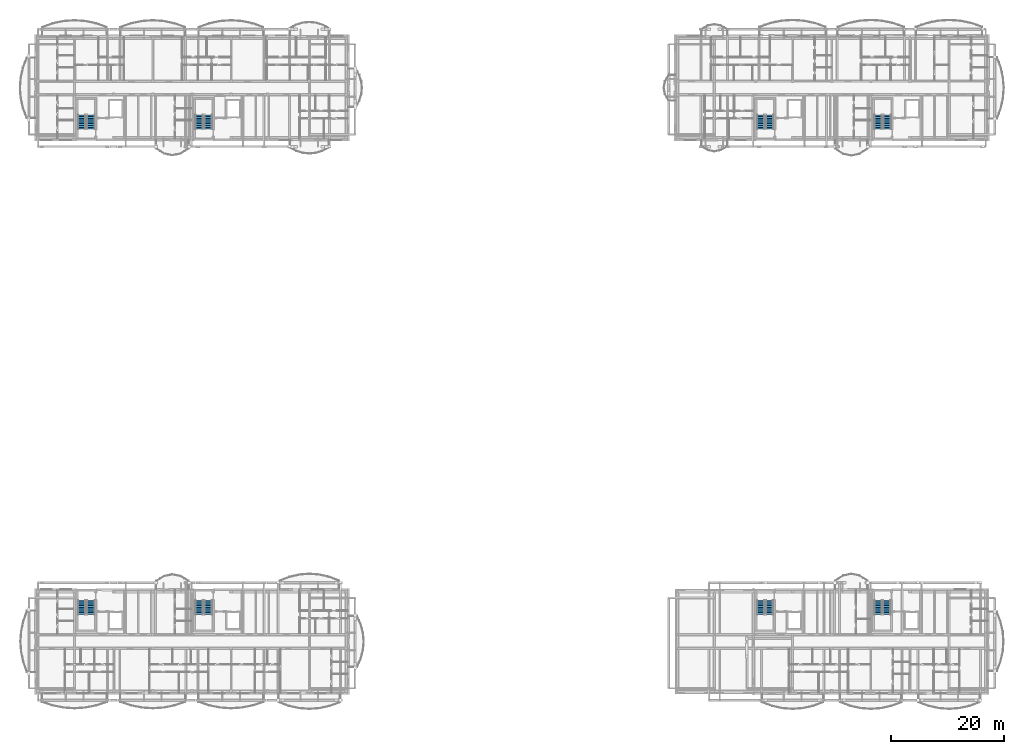
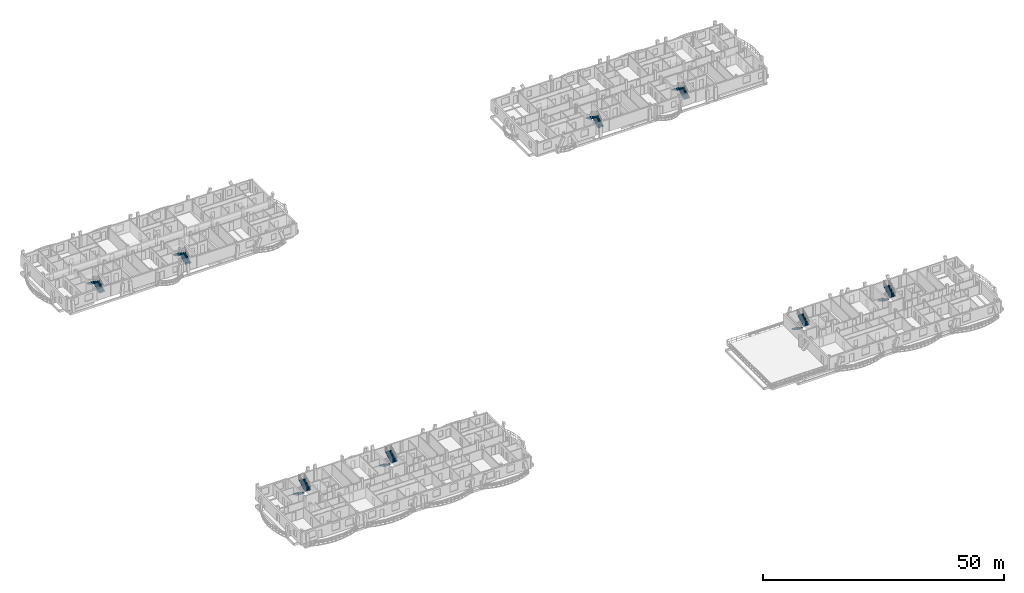
# One storey, part 36 of 48: 16 stair flights, 8 elements without a shape of their own.
"""IFC4 building model written with IfcOpenShell, lengths in metres."""

from ifc_helpers import new_model, si_unit, direction, frame, origin, place, context, subcontext, project, spatial, polyline, outline, extrude, material, type_object, element, aggregate, save


model = new_model("IFC4")

# Units and contexts
model_context = context("Model", 3, precision=1e-05, world=origin(), true_north=direction((0.0, 1.0)))
body_context = subcontext(model_context, "Body", "Model", "MODEL_VIEW")
ifc_project = project(units=[si_unit("LENGTHUNIT", "METRE"), si_unit("AREAUNIT", "SQUARE_METRE"), si_unit("VOLUMEUNIT", "CUBIC_METRE"), si_unit("PLANEANGLEUNIT", "RADIAN"), si_unit("MASSUNIT", "GRAM", prefix="KILO")], contexts=[model_context])

# Site, building, storey
site_placement = place(None, origin())
site = spatial("IfcSite", under=ifc_project, at=site_placement, CompositionType="ELEMENT")
building_placement = place(site_placement, origin())
building = spatial("IfcBuilding", under=site, at=building_placement, Name="Zavelmont Quarter", CompositionType="ELEMENT")
storey_placement = place(building_placement, frame((0.0, 0.0, 17.60009765625)))
storey = spatial("IfcBuildingStorey", under=building, at=storey_placement, Name="L05", CompositionType="ELEMENT", Elevation=17.60009765625)

# Stair, stair flights
ifc_material = material(Name="Concrete C35/45", Category="concrete")
stair_type_1 = type_object("IfcStairType", Name="STR-1350-1778", PredefinedType="HALF_TURN_STAIR", material=ifc_material)
stair_1_placement = place(storey_placement, origin())
stair_1 = element("IfcStair", 1, at=stair_1_placement, inside=storey, type_object=stair_type_1, Name="L05 protected stair ST07", PredefinedType="HALF_TURN_STAIR")
stair_flight_type_1 = type_object("IfcStairFlightType", Name="STF-1350-1778", PredefinedType="STRAIGHT", material=ifc_material)
stair_flight_1_placement = place(storey_placement, frame((127.875, 16.449951171875, 0.0), z_axis=(0.0, 0.0, 1.0), x_axis=(0.0, -1.0, 0.0)))
stair_flight_1 = element("IfcStairFlight", 2, at=stair_flight_1_placement, type_object=stair_flight_type_1, Name="ST07 flight 1", NumberOfRisers=9, NumberOfTreads=8, PredefinedType="STRAIGHT", RiserHeight=0.177777778, TreadLength=0.31, context=body_context, shape_type="SweptSolid", body=[
    extrude(outline(polyline([(0.0, 0.0), (0.0, 0.177734375), (0.31005859375, 0.177734375), (0.31005859375, 0.35546875), (0.6201171875, 0.35546875), (0.6201171875, 0.533447265625), (0.929931640625, 0.533447265625), (0.929931640625, 0.711181640625), (1.239990234375, 0.711181640625), (1.239990234375, 0.888916015625), (1.550048828125, 0.888916015625), (1.550048828125, 1.066650390625), (1.860107421875, 1.066650390625), (1.860107421875, 1.244384765625), (2.169921875, 1.244384765625), (2.169921875, 1.422119140625), (2.47998046875, 1.422119140625), (2.47998046875, 1.60009765625), (2.47998046875, 1.23779296875), (0.321533203125, 0.0), (0.0, 0.0)])), frame((0.0, 0.675048828125, 0.0), z_axis=(0.0, -1.0, 0.0), x_axis=(1.0, 0.0, 0.0)), (0.0, 0.0, 1.0), 1.35009765625),
])
stair_flight_2_placement = place(storey_placement, frame((129.425048828125, 13.969970703125, 1.599853515625), z_axis=(0.0, 0.0, 1.0), x_axis=(0.0, 1.0, 0.0)))
stair_flight_2 = element("IfcStairFlight", 3, at=stair_flight_2_placement, type_object=stair_flight_type_1, Name="ST07 flight 2", NumberOfRisers=9, NumberOfTreads=8, PredefinedType="STRAIGHT", RiserHeight=0.177777778, TreadLength=0.31, context=body_context, shape_type="SweptSolid", body=[
    extrude(outline(polyline([(0.0, 0.0), (0.0, 0.177734375), (0.31005859375, 0.177734375), (0.31005859375, 0.35546875), (0.6201171875, 0.35546875), (0.6201171875, 0.533447265625), (0.929931640625, 0.533447265625), (0.929931640625, 0.711181640625), (1.239990234375, 0.711181640625), (1.239990234375, 0.888916015625), (1.550048828125, 0.888916015625), (1.550048828125, 1.066650390625), (1.860107421875, 1.066650390625), (1.860107421875, 1.244384765625), (2.169921875, 1.244384765625), (2.169921875, 1.422119140625), (2.47998046875, 1.422119140625), (2.47998046875, 1.60009765625), (2.47998046875, 1.23779296875), (0.321533203125, 0.0), (0.0, 0.0)])), frame((0.0, 0.675048828125, 0.0), z_axis=(0.0, -1.0, 0.0), x_axis=(1.0, 0.0, 0.0)), (0.0, 0.0, 1.0), 1.35009765625),
])
aggregate(stair_1, [stair_flight_1, stair_flight_2])

stair_2_placement = place(storey_placement, origin())
stair_2 = element("IfcStair", 4, at=stair_2_placement, inside=storey, type_object=stair_type_1, Name="L05 protected stair ST08", PredefinedType="HALF_TURN_STAIR")
stair_flight_3_placement = place(storey_placement, frame((148.574951171875, 16.449951171875, 0.0), z_axis=(0.0, 0.0, 1.0), x_axis=(0.0, -1.0, 0.0)))
stair_flight_3 = element("IfcStairFlight", 5, at=stair_flight_3_placement, type_object=stair_flight_type_1, Name="ST08 flight 1", NumberOfRisers=9, NumberOfTreads=8, PredefinedType="STRAIGHT", RiserHeight=0.177777778, TreadLength=0.31, context=body_context, shape_type="SweptSolid", body=[
    extrude(outline(polyline([(0.0, 0.0), (0.0, 0.177734375), (0.31005859375, 0.177734375), (0.31005859375, 0.35546875), (0.6201171875, 0.35546875), (0.6201171875, 0.533447265625), (0.929931640625, 0.533447265625), (0.929931640625, 0.711181640625), (1.239990234375, 0.711181640625), (1.239990234375, 0.888916015625), (1.550048828125, 0.888916015625), (1.550048828125, 1.066650390625), (1.860107421875, 1.066650390625), (1.860107421875, 1.244384765625), (2.169921875, 1.244384765625), (2.169921875, 1.422119140625), (2.47998046875, 1.422119140625), (2.47998046875, 1.60009765625), (2.47998046875, 1.23779296875), (0.321533203125, 0.0), (0.0, 0.0)])), frame((0.0, 0.675048828125, 0.0), z_axis=(0.0, -1.0, 0.0), x_axis=(1.0, 0.0, 0.0)), (0.0, 0.0, 1.0), 1.35009765625),
])
stair_flight_4_placement = place(storey_placement, frame((150.125, 13.969970703125, 1.599853515625), z_axis=(0.0, 0.0, 1.0), x_axis=(0.0, 1.0, 0.0)))
stair_flight_4 = element("IfcStairFlight", 6, at=stair_flight_4_placement, type_object=stair_flight_type_1, Name="ST08 flight 2", NumberOfRisers=9, NumberOfTreads=8, PredefinedType="STRAIGHT", RiserHeight=0.177777778, TreadLength=0.31, context=body_context, shape_type="SweptSolid", body=[
    extrude(outline(polyline([(0.0, 0.0), (0.0, 0.177734375), (0.31005859375, 0.177734375), (0.31005859375, 0.35546875), (0.6201171875, 0.35546875), (0.6201171875, 0.533447265625), (0.929931640625, 0.533447265625), (0.929931640625, 0.711181640625), (1.239990234375, 0.711181640625), (1.239990234375, 0.888916015625), (1.550048828125, 0.888916015625), (1.550048828125, 1.066650390625), (1.860107421875, 1.066650390625), (1.860107421875, 1.244384765625), (2.169921875, 1.244384765625), (2.169921875, 1.422119140625), (2.47998046875, 1.422119140625), (2.47998046875, 1.60009765625), (2.47998046875, 1.23779296875), (0.321533203125, 0.0), (0.0, 0.0)])), frame((0.0, 0.675048828125, 0.0), z_axis=(0.0, -1.0, 0.0), x_axis=(1.0, 0.0, 0.0)), (0.0, 0.0, 1.0), 1.35009765625),
])
aggregate(stair_2, [stair_flight_3, stair_flight_4])

stair_type_2 = type_object("IfcStairType", Name="STR-1400-1778", PredefinedType="HALF_TURN_STAIR", material=ifc_material)
stair_3_placement = place(storey_placement, origin())
stair_3 = element("IfcStair", 7, at=stair_3_placement, inside=storey, type_object=stair_type_2, Name="L05 protected stair ST01", PredefinedType="HALF_TURN_STAIR")
stair_flight_type_2 = type_object("IfcStairFlightType", Name="STF-1400-1778", PredefinedType="STRAIGHT", material=ifc_material)
stair_flight_5_placement = place(storey_placement, frame((8.199951171875, 16.449951171875, 0.0), z_axis=(0.0, 0.0, 1.0), x_axis=(0.0, -1.0, 0.0)))
stair_flight_5 = element("IfcStairFlight", 8, at=stair_flight_5_placement, type_object=stair_flight_type_2, Name="ST01 flight 1", NumberOfRisers=9, NumberOfTreads=8, PredefinedType="STRAIGHT", RiserHeight=0.177777778, TreadLength=0.31, context=body_context, shape_type="SweptSolid", body=[
    extrude(outline(polyline([(0.0, 0.0), (0.0, 0.177734375), (0.31005859375, 0.177734375), (0.31005859375, 0.35546875), (0.6201171875, 0.35546875), (0.6201171875, 0.533447265625), (0.929931640625, 0.533447265625), (0.929931640625, 0.711181640625), (1.239990234375, 0.711181640625), (1.239990234375, 0.888916015625), (1.550048828125, 0.888916015625), (1.550048828125, 1.066650390625), (1.860107421875, 1.066650390625), (1.860107421875, 1.244384765625), (2.169921875, 1.244384765625), (2.169921875, 1.422119140625), (2.47998046875, 1.422119140625), (2.47998046875, 1.60009765625), (2.47998046875, 1.23779296875), (0.321533203125, 0.0), (0.0, 0.0)])), frame((0.0, 0.699951171875, 0.0), z_axis=(0.0, -1.0, 0.0), x_axis=(1.0, 0.0, 0.0)), (0.0, 0.0, 1.0), 1.39990234375),
])
stair_flight_6_placement = place(storey_placement, frame((9.800048828125, 13.969970703125, 1.599853515625), z_axis=(0.0, 0.0, 1.0), x_axis=(0.0, 1.0, 0.0)))
stair_flight_6 = element("IfcStairFlight", 9, at=stair_flight_6_placement, type_object=stair_flight_type_2, Name="ST01 flight 2", NumberOfRisers=9, NumberOfTreads=8, PredefinedType="STRAIGHT", RiserHeight=0.177777778, TreadLength=0.31, context=body_context, shape_type="SweptSolid", body=[
    extrude(outline(polyline([(0.0, 0.0), (0.0, 0.177734375), (0.31005859375, 0.177734375), (0.31005859375, 0.35546875), (0.6201171875, 0.35546875), (0.6201171875, 0.533447265625), (0.929931640625, 0.533447265625), (0.929931640625, 0.711181640625), (1.239990234375, 0.711181640625), (1.239990234375, 0.888916015625), (1.550048828125, 0.888916015625), (1.550048828125, 1.066650390625), (1.860107421875, 1.066650390625), (1.860107421875, 1.244384765625), (2.169921875, 1.244384765625), (2.169921875, 1.422119140625), (2.47998046875, 1.422119140625), (2.47998046875, 1.60009765625), (2.47998046875, 1.23779296875), (0.321533203125, 0.0), (0.0, 0.0)])), frame((0.0, 0.699951171875, 0.0), z_axis=(0.0, -1.0, 0.0), x_axis=(1.0, 0.0, 0.0)), (0.0, 0.0, 1.0), 1.39990234375),
])
aggregate(stair_3, [stair_flight_5, stair_flight_6])

stair_4_placement = place(storey_placement, origin())
stair_4 = element("IfcStair", 10, at=stair_4_placement, inside=storey, type_object=stair_type_2, Name="L05 protected stair ST02", PredefinedType="HALF_TURN_STAIR")
stair_flight_7_placement = place(storey_placement, frame((28.89990234375, 16.449951171875, 0.0), z_axis=(0.0, 0.0, 1.0), x_axis=(0.0, -1.0, 0.0)))
stair_flight_7 = element("IfcStairFlight", 11, at=stair_flight_7_placement, type_object=stair_flight_type_2, Name="ST02 flight 1", NumberOfRisers=9, NumberOfTreads=8, PredefinedType="STRAIGHT", RiserHeight=0.177777778, TreadLength=0.31, context=body_context, shape_type="SweptSolid", body=[
    extrude(outline(polyline([(0.0, 0.0), (0.0, 0.177734375), (0.31005859375, 0.177734375), (0.31005859375, 0.35546875), (0.6201171875, 0.35546875), (0.6201171875, 0.533447265625), (0.929931640625, 0.533447265625), (0.929931640625, 0.711181640625), (1.239990234375, 0.711181640625), (1.239990234375, 0.888916015625), (1.550048828125, 0.888916015625), (1.550048828125, 1.066650390625), (1.860107421875, 1.066650390625), (1.860107421875, 1.244384765625), (2.169921875, 1.244384765625), (2.169921875, 1.422119140625), (2.47998046875, 1.422119140625), (2.47998046875, 1.60009765625), (2.47998046875, 1.23779296875), (0.321533203125, 0.0), (0.0, 0.0)])), frame((0.0, 0.699951171875, 0.0), z_axis=(0.0, -1.0, 0.0), x_axis=(1.0, 0.0, 0.0)), (0.0, 0.0, 1.0), 1.39990234375),
])
stair_flight_8_placement = place(storey_placement, frame((30.5, 13.969970703125, 1.599853515625), z_axis=(0.0, 0.0, 1.0), x_axis=(0.0, 1.0, 0.0)))
stair_flight_8 = element("IfcStairFlight", 12, at=stair_flight_8_placement, type_object=stair_flight_type_2, Name="ST02 flight 2", NumberOfRisers=9, NumberOfTreads=8, PredefinedType="STRAIGHT", RiserHeight=0.177777778, TreadLength=0.31, context=body_context, shape_type="SweptSolid", body=[
    extrude(outline(polyline([(0.0, 0.0), (0.0, 0.177734375), (0.31005859375, 0.177734375), (0.31005859375, 0.35546875), (0.6201171875, 0.35546875), (0.6201171875, 0.533447265625), (0.929931640625, 0.533447265625), (0.929931640625, 0.711181640625), (1.239990234375, 0.711181640625), (1.239990234375, 0.888916015625), (1.550048828125, 0.888916015625), (1.550048828125, 1.066650390625), (1.860107421875, 1.066650390625), (1.860107421875, 1.244384765625), (2.169921875, 1.244384765625), (2.169921875, 1.422119140625), (2.47998046875, 1.422119140625), (2.47998046875, 1.60009765625), (2.47998046875, 1.23779296875), (0.321533203125, 0.0), (0.0, 0.0)])), frame((0.0, 0.699951171875, 0.0), z_axis=(0.0, -1.0, 0.0), x_axis=(1.0, 0.0, 0.0)), (0.0, 0.0, 1.0), 1.39990234375),
])
aggregate(stair_4, [stair_flight_7, stair_flight_8])

stair_5_placement = place(storey_placement, origin())
stair_5 = element("IfcStair", 13, at=stair_5_placement, inside=storey, type_object=stair_type_2, Name="L05 protected stair ST03", PredefinedType="HALF_TURN_STAIR")
stair_flight_9_placement = place(storey_placement, frame((9.800048828125, 99.550048828125, 0.0), z_axis=(0.0, 0.0, 1.0), x_axis=(0.0, 1.0, 0.0)))
stair_flight_9 = element("IfcStairFlight", 14, at=stair_flight_9_placement, type_object=stair_flight_type_2, Name="ST03 flight 1", NumberOfRisers=9, NumberOfTreads=8, PredefinedType="STRAIGHT", RiserHeight=0.177777778, TreadLength=0.31, context=body_context, shape_type="SweptSolid", body=[
    extrude(outline(polyline([(0.0, 0.0), (0.0, 0.177734375), (0.31005859375, 0.177734375), (0.31005859375, 0.35546875), (0.6201171875, 0.35546875), (0.6201171875, 0.533447265625), (0.929931640625, 0.533447265625), (0.929931640625, 0.711181640625), (1.239990234375, 0.711181640625), (1.239990234375, 0.888916015625), (1.550048828125, 0.888916015625), (1.550048828125, 1.066650390625), (1.860107421875, 1.066650390625), (1.860107421875, 1.244384765625), (2.169921875, 1.244384765625), (2.169921875, 1.422119140625), (2.47998046875, 1.422119140625), (2.47998046875, 1.60009765625), (2.47998046875, 1.23779296875), (0.321533203125, 0.0), (0.0, 0.0)])), frame((0.0, 0.699951171875, 0.0), z_axis=(0.0, -1.0, 0.0), x_axis=(1.0, 0.0, 0.0)), (0.0, 0.0, 1.0), 1.39990234375),
])
stair_flight_10_placement = place(storey_placement, frame((8.199951171875, 102.030029296875, 1.599853515625), z_axis=(0.0, 0.0, 1.0), x_axis=(0.0, -1.0, 0.0)))
stair_flight_10 = element("IfcStairFlight", 15, at=stair_flight_10_placement, type_object=stair_flight_type_2, Name="ST03 flight 2", NumberOfRisers=9, NumberOfTreads=8, PredefinedType="STRAIGHT", RiserHeight=0.177777778, TreadLength=0.31, context=body_context, shape_type="SweptSolid", body=[
    extrude(outline(polyline([(0.0, 0.0), (0.0, 0.177734375), (0.31005859375, 0.177734375), (0.31005859375, 0.35546875), (0.6201171875, 0.35546875), (0.6201171875, 0.533447265625), (0.929931640625, 0.533447265625), (0.929931640625, 0.711181640625), (1.239990234375, 0.711181640625), (1.239990234375, 0.888916015625), (1.550048828125, 0.888916015625), (1.550048828125, 1.066650390625), (1.860107421875, 1.066650390625), (1.860107421875, 1.244384765625), (2.169921875, 1.244384765625), (2.169921875, 1.422119140625), (2.47998046875, 1.422119140625), (2.47998046875, 1.60009765625), (2.47998046875, 1.23779296875), (0.321533203125, 0.0), (0.0, 0.0)])), frame((0.0, 0.699951171875, 0.0), z_axis=(0.0, -1.0, 0.0), x_axis=(1.0, 0.0, 0.0)), (0.0, 0.0, 1.0), 1.39990234375),
])
aggregate(stair_5, [stair_flight_9, stair_flight_10])

stair_6_placement = place(storey_placement, origin())
stair_6 = element("IfcStair", 16, at=stair_6_placement, inside=storey, type_object=stair_type_2, Name="L05 protected stair ST04", PredefinedType="HALF_TURN_STAIR")
stair_flight_11_placement = place(storey_placement, frame((30.5, 99.550048828125, 0.0), z_axis=(0.0, 0.0, 1.0), x_axis=(0.0, 1.0, 0.0)))
stair_flight_11 = element("IfcStairFlight", 17, at=stair_flight_11_placement, type_object=stair_flight_type_2, Name="ST04 flight 1", NumberOfRisers=9, NumberOfTreads=8, PredefinedType="STRAIGHT", RiserHeight=0.177777778, TreadLength=0.31, context=body_context, shape_type="SweptSolid", body=[
    extrude(outline(polyline([(0.0, 0.0), (0.0, 0.177734375), (0.31005859375, 0.177734375), (0.31005859375, 0.35546875), (0.6201171875, 0.35546875), (0.6201171875, 0.533447265625), (0.929931640625, 0.533447265625), (0.929931640625, 0.711181640625), (1.239990234375, 0.711181640625), (1.239990234375, 0.888916015625), (1.550048828125, 0.888916015625), (1.550048828125, 1.066650390625), (1.860107421875, 1.066650390625), (1.860107421875, 1.244384765625), (2.169921875, 1.244384765625), (2.169921875, 1.422119140625), (2.47998046875, 1.422119140625), (2.47998046875, 1.60009765625), (2.47998046875, 1.23779296875), (0.321533203125, 0.0), (0.0, 0.0)])), frame((0.0, 0.699951171875, 0.0), z_axis=(0.0, -1.0, 0.0), x_axis=(1.0, 0.0, 0.0)), (0.0, 0.0, 1.0), 1.39990234375),
])
stair_flight_12_placement = place(storey_placement, frame((28.89990234375, 102.030029296875, 1.599853515625), z_axis=(0.0, 0.0, 1.0), x_axis=(0.0, -1.0, 0.0)))
stair_flight_12 = element("IfcStairFlight", 18, at=stair_flight_12_placement, type_object=stair_flight_type_2, Name="ST04 flight 2", NumberOfRisers=9, NumberOfTreads=8, PredefinedType="STRAIGHT", RiserHeight=0.177777778, TreadLength=0.31, context=body_context, shape_type="SweptSolid", body=[
    extrude(outline(polyline([(0.0, 0.0), (0.0, 0.177734375), (0.31005859375, 0.177734375), (0.31005859375, 0.35546875), (0.6201171875, 0.35546875), (0.6201171875, 0.533447265625), (0.929931640625, 0.533447265625), (0.929931640625, 0.711181640625), (1.239990234375, 0.711181640625), (1.239990234375, 0.888916015625), (1.550048828125, 0.888916015625), (1.550048828125, 1.066650390625), (1.860107421875, 1.066650390625), (1.860107421875, 1.244384765625), (2.169921875, 1.244384765625), (2.169921875, 1.422119140625), (2.47998046875, 1.422119140625), (2.47998046875, 1.60009765625), (2.47998046875, 1.23779296875), (0.321533203125, 0.0), (0.0, 0.0)])), frame((0.0, 0.699951171875, 0.0), z_axis=(0.0, -1.0, 0.0), x_axis=(1.0, 0.0, 0.0)), (0.0, 0.0, 1.0), 1.39990234375),
])
aggregate(stair_6, [stair_flight_11, stair_flight_12])

stair_7_placement = place(storey_placement, origin())
stair_7 = element("IfcStair", 19, at=stair_7_placement, inside=storey, type_object=stair_type_2, Name="L05 protected stair ST05", PredefinedType="HALF_TURN_STAIR")
stair_flight_13_placement = place(storey_placement, frame((129.5, 99.550048828125, 0.0), z_axis=(0.0, 0.0, 1.0), x_axis=(0.0, 1.0, 0.0)))
stair_flight_13 = element("IfcStairFlight", 20, at=stair_flight_13_placement, type_object=stair_flight_type_2, Name="ST05 flight 1", NumberOfRisers=9, NumberOfTreads=8, PredefinedType="STRAIGHT", RiserHeight=0.177777778, TreadLength=0.31, context=body_context, shape_type="SweptSolid", body=[
    extrude(outline(polyline([(0.0, 0.0), (0.0, 0.177734375), (0.31005859375, 0.177734375), (0.31005859375, 0.35546875), (0.6201171875, 0.35546875), (0.6201171875, 0.533447265625), (0.929931640625, 0.533447265625), (0.929931640625, 0.711181640625), (1.239990234375, 0.711181640625), (1.239990234375, 0.888916015625), (1.550048828125, 0.888916015625), (1.550048828125, 1.066650390625), (1.860107421875, 1.066650390625), (1.860107421875, 1.244384765625), (2.169921875, 1.244384765625), (2.169921875, 1.422119140625), (2.47998046875, 1.422119140625), (2.47998046875, 1.60009765625), (2.47998046875, 1.23779296875), (0.321533203125, 0.0), (0.0, 0.0)])), frame((0.0, 0.699951171875, 0.0), z_axis=(0.0, -1.0, 0.0), x_axis=(1.0, 0.0, 0.0)), (0.0, 0.0, 1.0), 1.39990234375),
])
stair_flight_14_placement = place(storey_placement, frame((127.89990234375, 102.030029296875, 1.599853515625), z_axis=(0.0, 0.0, 1.0), x_axis=(0.0, -1.0, 0.0)))
stair_flight_14 = element("IfcStairFlight", 21, at=stair_flight_14_placement, type_object=stair_flight_type_2, Name="ST05 flight 2", NumberOfRisers=9, NumberOfTreads=8, PredefinedType="STRAIGHT", RiserHeight=0.177777778, TreadLength=0.31, context=body_context, shape_type="SweptSolid", body=[
    extrude(outline(polyline([(0.0, 0.0), (0.0, 0.177734375), (0.31005859375, 0.177734375), (0.31005859375, 0.35546875), (0.6201171875, 0.35546875), (0.6201171875, 0.533447265625), (0.929931640625, 0.533447265625), (0.929931640625, 0.711181640625), (1.239990234375, 0.711181640625), (1.239990234375, 0.888916015625), (1.550048828125, 0.888916015625), (1.550048828125, 1.066650390625), (1.860107421875, 1.066650390625), (1.860107421875, 1.244384765625), (2.169921875, 1.244384765625), (2.169921875, 1.422119140625), (2.47998046875, 1.422119140625), (2.47998046875, 1.60009765625), (2.47998046875, 1.23779296875), (0.321533203125, 0.0), (0.0, 0.0)])), frame((0.0, 0.699951171875, 0.0), z_axis=(0.0, -1.0, 0.0), x_axis=(1.0, 0.0, 0.0)), (0.0, 0.0, 1.0), 1.39990234375),
])
aggregate(stair_7, [stair_flight_13, stair_flight_14])

stair_8_placement = place(storey_placement, origin())
stair_8 = element("IfcStair", 22, at=stair_8_placement, inside=storey, type_object=stair_type_2, Name="L05 protected stair ST06", PredefinedType="HALF_TURN_STAIR")
stair_flight_15_placement = place(storey_placement, frame((150.199951171875, 99.550048828125, 0.0), z_axis=(0.0, 0.0, 1.0), x_axis=(0.0, 1.0, 0.0)))
stair_flight_15 = element("IfcStairFlight", 23, at=stair_flight_15_placement, type_object=stair_flight_type_2, Name="ST06 flight 1", NumberOfRisers=9, NumberOfTreads=8, PredefinedType="STRAIGHT", RiserHeight=0.177777778, TreadLength=0.31, context=body_context, shape_type="SweptSolid", body=[
    extrude(outline(polyline([(0.0, 0.0), (0.0, 0.177734375), (0.31005859375, 0.177734375), (0.31005859375, 0.35546875), (0.6201171875, 0.35546875), (0.6201171875, 0.533447265625), (0.929931640625, 0.533447265625), (0.929931640625, 0.711181640625), (1.239990234375, 0.711181640625), (1.239990234375, 0.888916015625), (1.550048828125, 0.888916015625), (1.550048828125, 1.066650390625), (1.860107421875, 1.066650390625), (1.860107421875, 1.244384765625), (2.169921875, 1.244384765625), (2.169921875, 1.422119140625), (2.47998046875, 1.422119140625), (2.47998046875, 1.60009765625), (2.47998046875, 1.23779296875), (0.321533203125, 0.0), (0.0, 0.0)])), frame((0.0, 0.699951171875, 0.0), z_axis=(0.0, -1.0, 0.0), x_axis=(1.0, 0.0, 0.0)), (0.0, 0.0, 1.0), 1.39990234375),
])
stair_flight_16_placement = place(storey_placement, frame((148.60009765625, 102.030029296875, 1.599853515625), z_axis=(0.0, 0.0, 1.0), x_axis=(0.0, -1.0, 0.0)))
stair_flight_16 = element("IfcStairFlight", 24, at=stair_flight_16_placement, type_object=stair_flight_type_2, Name="ST06 flight 2", NumberOfRisers=9, NumberOfTreads=8, PredefinedType="STRAIGHT", RiserHeight=0.177777778, TreadLength=0.31, context=body_context, shape_type="SweptSolid", body=[
    extrude(outline(polyline([(0.0, 0.0), (0.0, 0.177734375), (0.31005859375, 0.177734375), (0.31005859375, 0.35546875), (0.6201171875, 0.35546875), (0.6201171875, 0.533447265625), (0.929931640625, 0.533447265625), (0.929931640625, 0.711181640625), (1.239990234375, 0.711181640625), (1.239990234375, 0.888916015625), (1.550048828125, 0.888916015625), (1.550048828125, 1.066650390625), (1.860107421875, 1.066650390625), (1.860107421875, 1.244384765625), (2.169921875, 1.244384765625), (2.169921875, 1.422119140625), (2.47998046875, 1.422119140625), (2.47998046875, 1.60009765625), (2.47998046875, 1.23779296875), (0.321533203125, 0.0), (0.0, 0.0)])), frame((0.0, 0.699951171875, 0.0), z_axis=(0.0, -1.0, 0.0), x_axis=(1.0, 0.0, 0.0)), (0.0, 0.0, 1.0), 1.39990234375),
])
aggregate(stair_8, [stair_flight_15, stair_flight_16])

save(model, "model.ifc")
